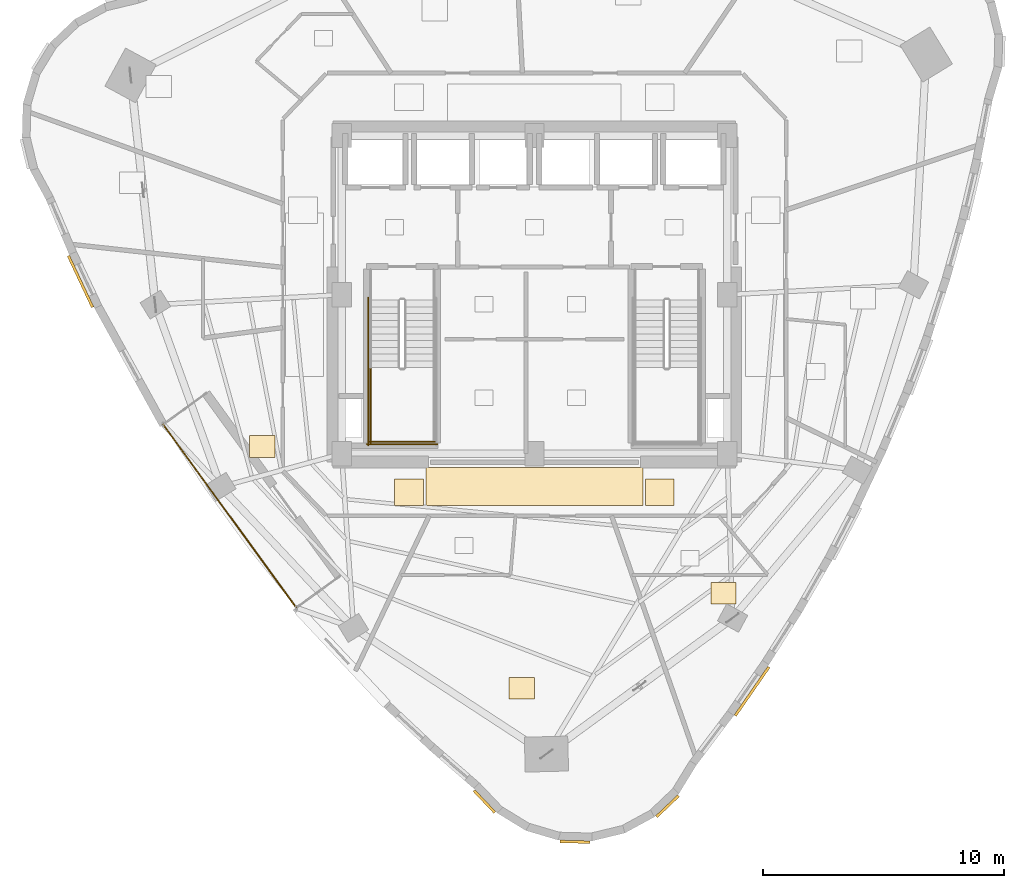
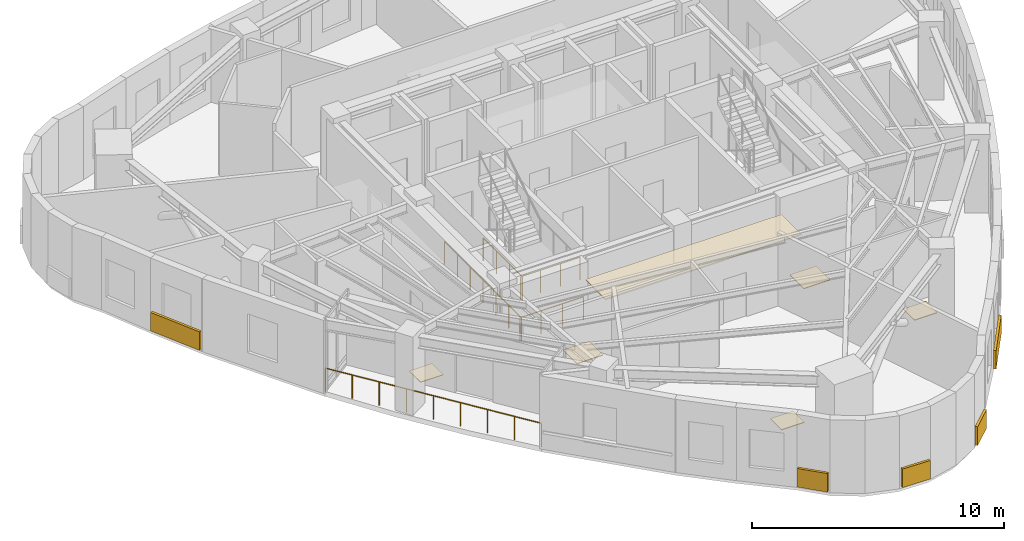
# One storey, part 11 of 13: 11 coverings, 5 railings.
"""IFC4 building model written with IfcOpenShell, lengths in metres."""

from ifc_helpers import new_model, si_unit, direction, frame, origin, origin_2d, place, context, subcontext, project, spatial, rectangle, circle, extrude, material, layer, layer_set, type_object, element, save


model = new_model("IFC4")

# Units and contexts
model_context = context("Model", 3, precision=1e-05, world=origin(), true_north=direction((0.0, 1.0)))
body_context = subcontext(model_context, "Body", "Model", "MODEL_VIEW")
ifc_project = project(units=[si_unit("LENGTHUNIT", "METRE"), si_unit("AREAUNIT", "SQUARE_METRE"), si_unit("VOLUMEUNIT", "CUBIC_METRE"), si_unit("PLANEANGLEUNIT", "RADIAN"), si_unit("MASSUNIT", "GRAM", prefix="KILO")], contexts=[model_context])

# Site, building, storey
site_placement = place(None, origin())
site = spatial("IfcSite", under=ifc_project, at=site_placement, CompositionType="ELEMENT")
building_placement = place(site_placement, origin())
building = spatial("IfcBuilding", under=site, at=building_placement, Name="Ndelora Gate Hotel", CompositionType="ELEMENT")
storey_placement = place(building_placement, frame((0.0, 0.0, 235.949951171875)))
storey = spatial("IfcBuildingStorey", under=building, at=storey_placement, Name="L59", CompositionType="ELEMENT", Elevation=235.949951171875)

# Coverings
ifc_material_1 = material(Name="Perforated Acoustic Gypsum Board", Category="gypsum")
ifc_layer_1 = layer(ifc_material_1, 0.054931640625)
ifc_layer_set_1 = layer_set([ifc_layer_1], Name="Perforated Acoustic Gypsum Board")
covering_type_1 = type_object("IfcCoveringType", Name="COV-CEIL-AC60", PredefinedType="CEILING", material=ifc_layer_set_1)
covering_1_placement = place(storey_placement, frame((0.0, -7.9599609375, 2.65234375), z_axis=(0.0, 0.0, 1.0), x_axis=(1.0, 0.0, 0.0)))
element("IfcCovering", 1, at=covering_1_placement, inside=storey, type_object=covering_type_1, Name="L59 Guest Corridor Acoustic Ceiling S", PredefinedType="CEILING", context=body_context, shape_type="SweptSolid", body=[
    extrude(rectangle(XDim=9.0, YDim=1.580078125, at=origin_2d()), origin(), (0.0, 0.0, 1.0), 0.054931640625),
])
ifc_material_2 = material(Name="Terracotta Fired Clay Brick Slip Cladding", Category="masonry")
ifc_layer_2 = layer(ifc_material_2, 0.110107421875)
ifc_layer_set_2 = layer_set([ifc_layer_2], Name="Terracotta Fired Clay Brick Slip Cladding")
covering_type_2 = type_object("IfcCoveringType", Name="COV-CLAD-BRK", PredefinedType="CLADDING", material=ifc_layer_set_2)
covering_2_placement = place(storey_placement, frame((-18.83642578125, 0.544189453125, 0.10009765625), z_axis=(0.0, 0.0, 1.0), x_axis=(-0.425305466885, 0.90504986594, 0.0)))
element("IfcCovering", 2, at=covering_2_placement, inside=storey, type_object=covering_type_2, Name="L59 Rounded-Corner Brick Cladding Band 10", PredefinedType="CLADDING", context=body_context, shape_type="SweptSolid", body=[
    extrude(rectangle(XDim=2.35888671875, YDim=0.110107421875, at=origin_2d()), origin(), (0.0, 0.0, 1.0), 0.89990234375),
])
for number, where, z_axis, x_axis, name in (
    (3, (-2.076416015625, -21.031982421875, 0.10009765625), (0.0, 0.0, 1.0), (-0.688354575694, 0.725374371012, 0.0), "L59 Rounded-Corner Brick Cladding Band 19"),
    (4, (1.68115234375, -22.705078125, 0.10009765625), (0.0, 0.0, 1.0), (-0.999657324976, 0.026176948308, 0.0), "L59 Rounded-Corner Brick Cladding Band 22"),
    (5, (5.52099609375, -21.23095703125, 0.10009765625), (0.0, 0.0, 1.0), (0.725374371012, 0.688354575694, 0.0), "L59 Rounded-Corner Brick Cladding Band 25"),
):
    element("IfcCovering", number, at=place(storey_placement, frame(where, z_axis=z_axis, x_axis=x_axis)), inside=storey, type_object=covering_type_2, Name=name, PredefinedType="CLADDING", context=body_context, shape_type="SweptSolid", body=[
        extrude(rectangle(XDim=1.257080078125, YDim=0.110107421875, at=origin_2d()), origin(), (0.0, 0.0, 1.0), 0.89990234375),
    ])
covering_3_placement = place(storey_placement, frame((9.033935546875, -16.457763671875, 0.10009765625), z_axis=(0.0, 0.0, 1.0), x_axis=(0.569136023557, 0.822243386529, 0.0)))
element("IfcCovering", 6, at=covering_3_placement, inside=storey, type_object=covering_type_2, Name="L59 Rounded-Corner Brick Cladding Band 28", PredefinedType="CLADDING", context=body_context, shape_type="SweptSolid", body=[
    extrude(rectangle(XDim=2.4599609375, YDim=0.110107421875, at=origin_2d()), origin(), (0.0, 0.0, 1.0), 0.89990234375),
])
ifc_material_3 = material(Name="Engineered Highland Oak Parquet", Category="wood")
ifc_layer_3 = layer(ifc_material_3, 0.030029296875)
ifc_layer_set_3 = layer_set([ifc_layer_3], Name="Engineered Highland Oak Parquet")
covering_type_3 = type_object("IfcCoveringType", Name="COV-FLR-PARQ", PredefinedType="FLOORING", material=ifc_layer_set_3)
for number, where, z_axis, x_axis, name in (
    (7, (-11.2958984375, -6.302734375, 0.0), (0.0, 0.0, 1.0), (1.0, 0.0, 0.0), "L59 Sky Garden Tea Dining Room Oak Parquet Flooring"),
    (8, (-0.522216796875, -16.328369140625, 0.0), (0.0, 0.0, 1.0), (1.0, 0.0, 0.0), "L59 Highland Executive Two-Bay Suite 6201 Oak Parquet Flooring"),
    (9, (7.846435546875, -12.3916015625, 0.0), (0.0, 0.0, 1.0), (1.0, 0.0, 0.0), "L59 Corner Panoramic Executive Suite 6202 Oak Parquet Flooring"),
):
    element("IfcCovering", number, at=place(storey_placement, frame(where, z_axis=z_axis, x_axis=x_axis)), inside=storey, type_object=covering_type_3, Name=name, PredefinedType="FLOORING", context=body_context, shape_type="SweptSolid", body=[
        extrude(rectangle(XDim=1.050048828125, YDim=0.89990234375, at=origin_2d()), origin(), (0.0, 0.0, 1.0), 0.030029296875),
    ])
ifc_material_4 = material(Name="Polished Highland Stone Terrazzo", Category="masonry")
ifc_layer_4 = layer(ifc_material_4, 0.034912109375)
ifc_layer_set_4 = layer_set([ifc_layer_4], Name="Polished Highland Stone Terrazzo")
covering_type_4 = type_object("IfcCoveringType", Name="COV-FLR-TERZ", PredefinedType="FLOORING", material=ifc_layer_set_4)
for number, where, z_axis, x_axis, name in (
    (10, (-5.199951171875, -8.199951171875, 0.0), (0.0, 0.0, 1.0), (1.0, 0.0, 0.0), "L59 Corridor Threshold Terrazzo Inlay SW"),
    (11, (5.199951171875, -8.199951171875, 0.0), (0.0, 0.0, 1.0), (1.0, 0.0, 0.0), "L59 Corridor Threshold Terrazzo Inlay SE"),
):
    element("IfcCovering", number, at=place(storey_placement, frame(where, z_axis=z_axis, x_axis=x_axis)), inside=storey, type_object=covering_type_4, Name=name, PredefinedType="FLOORING", context=body_context, shape_type="SweptSolid", body=[
        extrude(rectangle(XDim=1.199951171875, YDim=1.10009765625, at=origin_2d()), origin(), (0.0, 0.0, 1.0), 0.034912109375),
    ])

# Railings
ifc_material_5 = material(Name="Laminated Safety Glass and Bronze Top Rail", Category="glass")
ifc_layer_5 = layer(ifc_material_5, 0.070068359375)
ifc_layer_set_5 = layer_set([ifc_layer_5], Name="Laminated Safety Glass and Bronze Top Rail")
railing_type_1 = type_object("IfcRailingType", Name="RL-BAL-1150", PredefinedType="BALUSTRADE", material=ifc_layer_set_5)
railing_1_placement = place(storey_placement, frame((-15.407470703125, -5.384521484375, 0.0)))
element("IfcRailing", 12, at=railing_1_placement, inside=storey, type_object=railing_type_1, Name="L59 Sky-Garden Loggia Terrace Balustrade", PredefinedType="BALUSTRADE", context=body_context, shape_type="SweptSolid", body=[
    extrude(circle(Radius=0.02392578125, at=origin_2d()), frame((0.0, 0.0, 1.1357421875), z_axis=(0.587771657404, -0.809026871465, 0.0), x_axis=(0.809026871465, 0.587771657404, 0.0)), (0.0, 0.0, 1.0), 9.400146484375),
    extrude(circle(Radius=0.02099609375, at=origin_2d()), origin(), (0.0, 0.0, 1.0), 1.11181640625),
    extrude(circle(Radius=0.02099609375, at=origin_2d()), frame((0.690673828125, -0.95068359375, 0.0)), (0.0, 0.0, 1.0), 1.11181640625),
    extrude(circle(Radius=0.02099609375, at=origin_2d()), frame((1.38134765625, -1.9013671875, 0.0)), (0.0, 0.0, 1.0), 1.11181640625),
    extrude(circle(Radius=0.02099609375, at=origin_2d()), frame((2.072021484375, -2.851806640625, 0.0)), (0.0, 0.0, 1.0), 1.11181640625),
    extrude(circle(Radius=0.02099609375, at=origin_2d()), frame((2.7626953125, -3.802490234375, 0.0)), (0.0, 0.0, 1.0), 1.11181640625),
    extrude(circle(Radius=0.02099609375, at=origin_2d()), frame((3.453125, -4.753173828125, 0.0)), (0.0, 0.0, 1.0), 1.11181640625),
    extrude(circle(Radius=0.02099609375, at=origin_2d()), frame((4.143798828125, -5.70361328125, 0.0)), (0.0, 0.0, 1.0), 1.11181640625),
    extrude(circle(Radius=0.02099609375, at=origin_2d()), frame((4.83447265625, -6.654296875, 0.0)), (0.0, 0.0, 1.0), 1.11181640625),
    extrude(circle(Radius=0.02099609375, at=origin_2d()), frame((5.525146484375, -7.60498046875, 0.0)), (0.0, 0.0, 1.0), 1.11181640625),
])
ifc_material_6 = material(Name="Painted Galvanized Steel Balustrade", Category="steel")
ifc_layer_6 = layer(ifc_material_6, 0.06005859375)
ifc_layer_set_6 = layer_set([ifc_layer_6], Name="Painted Galvanized Steel Balustrade")
railing_type_2 = type_object("IfcRailingType", Name="RL-STAIR-GD", PredefinedType="GUARDRAIL", material=ifc_layer_set_6)
railing_2_placement = place(storey_placement, frame((-6.800048828125, -3.030029296875, 1.900146484375)))
element("IfcRailing", 13, at=railing_2_placement, inside=storey, type_object=railing_type_2, Name="L59 ST4 stair guard 3", PredefinedType="GUARDRAIL", context=body_context, shape_type="SweptSolid", body=[
    extrude(circle(Radius=0.02392578125, at=origin_2d()), frame((0.0, 0.0, 1.10595703125), z_axis=(0.0, -1.0, 0.0), x_axis=(1.0, 0.0, 0.0)), (0.0, 0.0, 1.0), 3.119873046875),
    extrude(circle(Radius=0.02099609375, at=origin_2d()), origin(), (0.0, 0.0, 1.0), 1.081787109375),
    extrude(circle(Radius=0.02099609375, at=origin_2d()), frame((0.0, -1.0400390625, 0.0)), (0.0, 0.0, 1.0), 1.081787109375),
    extrude(circle(Radius=0.02099609375, at=origin_2d()), frame((0.0, -2.079833984375, 0.0)), (0.0, 0.0, 1.0), 1.081787109375),
    extrude(circle(Radius=0.02099609375, at=origin_2d()), frame((0.0, -3.119873046875, 0.0)), (0.0, 0.0, 1.0), 1.081787109375),
])
railing_3_placement = place(storey_placement, frame((-6.85009765625, -6.10009765625, 1.900146484375)))
element("IfcRailing", 14, at=railing_3_placement, inside=storey, type_object=railing_type_2, Name="L59 ST4 stair guard 5", PredefinedType="GUARDRAIL", context=body_context, shape_type="SweptSolid", body=[
    extrude(circle(Radius=0.02392578125, at=origin_2d()), frame((0.0, 0.0, 1.10595703125), z_axis=(1.0, 0.0, 0.0), x_axis=(0.0, 1.0, 0.0)), (0.0, 0.0, 1.0), 2.72021484375),
    extrude(circle(Radius=0.02099609375, at=origin_2d()), origin(), (0.0, 0.0, 1.0), 1.081787109375),
    extrude(circle(Radius=0.02099609375, at=origin_2d()), frame((0.90673828125, 0.0, 0.0)), (0.0, 0.0, 1.0), 1.081787109375),
    extrude(circle(Radius=0.02099609375, at=origin_2d()), frame((1.8134765625, 0.0, 0.0)), (0.0, 0.0, 1.0), 1.081787109375),
    extrude(circle(Radius=0.02099609375, at=origin_2d()), frame((2.72021484375, 0.0, 0.0)), (0.0, 0.0, 1.0), 1.081787109375),
])
railing_4_placement = place(storey_placement, frame((-6.89990234375, -0.1298828125, 0.0)))
element("IfcRailing", 15, at=railing_4_placement, inside=storey, type_object=railing_type_2, Name="L59 ST4 stair guard 10", PredefinedType="GUARDRAIL", context=body_context, shape_type="SweptSolid", body=[
    extrude(circle(Radius=0.02392578125, at=origin_2d()), frame((0.0, 0.0, 1.10595703125), z_axis=(0.0, -1.0, 0.0), x_axis=(1.0, 0.0, 0.0)), (0.0, 0.0, 1.0), 6.1201171875),
    extrude(circle(Radius=0.02099609375, at=origin_2d()), origin(), (0.0, 0.0, 1.0), 1.081787109375),
    extrude(circle(Radius=0.02099609375, at=origin_2d()), frame((0.0, -1.02001953125, 0.0)), (0.0, 0.0, 1.0), 1.081787109375),
    extrude(circle(Radius=0.02099609375, at=origin_2d()), frame((0.0, -2.0400390625, 0.0)), (0.0, 0.0, 1.0), 1.081787109375),
    extrude(circle(Radius=0.02099609375, at=origin_2d()), frame((0.0, -3.06005859375, 0.0)), (0.0, 0.0, 1.0), 1.081787109375),
    extrude(circle(Radius=0.02099609375, at=origin_2d()), frame((0.0, -4.080078125, 0.0)), (0.0, 0.0, 1.0), 1.081787109375),
    extrude(circle(Radius=0.02099609375, at=origin_2d()), frame((0.0, -5.10009765625, 0.0)), (0.0, 0.0, 1.0), 1.081787109375),
    extrude(circle(Radius=0.02099609375, at=origin_2d()), frame((0.0, -6.1201171875, 0.0)), (0.0, 0.0, 1.0), 1.081787109375),
])
railing_5_placement = place(storey_placement, frame((-6.949951171875, -6.199951171875, 0.0)))
element("IfcRailing", 16, at=railing_5_placement, inside=storey, type_object=railing_type_2, Name="L59 ST4 stair guard 12", PredefinedType="GUARDRAIL", context=body_context, shape_type="SweptSolid", body=[
    extrude(circle(Radius=0.02392578125, at=origin_2d()), frame((0.0, 0.0, 1.10595703125), z_axis=(1.0, 0.0, 0.0), x_axis=(0.0, 1.0, 0.0)), (0.0, 0.0, 1.0), 2.919921875),
    extrude(circle(Radius=0.02099609375, at=origin_2d()), origin(), (0.0, 0.0, 1.0), 1.081787109375),
    extrude(circle(Radius=0.02099609375, at=origin_2d()), frame((0.973388671875, 0.0, 0.0)), (0.0, 0.0, 1.0), 1.081787109375),
    extrude(circle(Radius=0.02099609375, at=origin_2d()), frame((1.946533203125, 0.0, 0.0)), (0.0, 0.0, 1.0), 1.081787109375),
    extrude(circle(Radius=0.02099609375, at=origin_2d()), frame((2.919921875, 0.0, 0.0)), (0.0, 0.0, 1.0), 1.081787109375),
])

save(model, "model.ifc")
